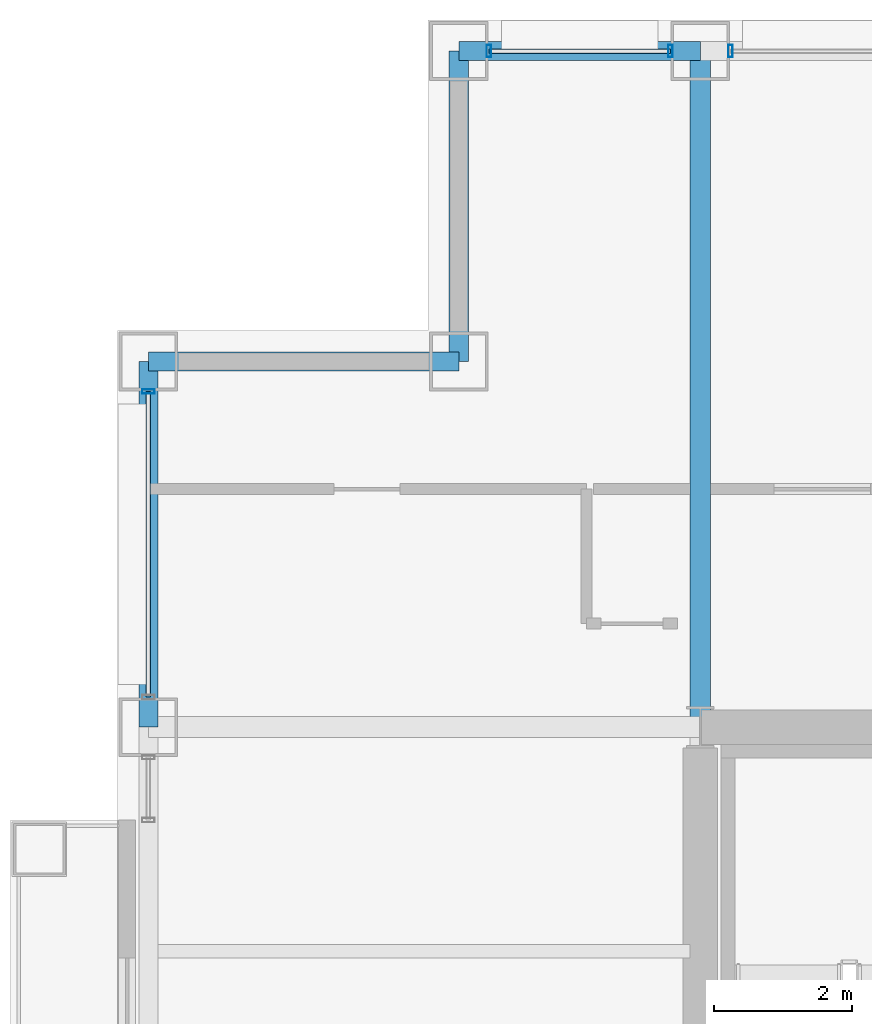
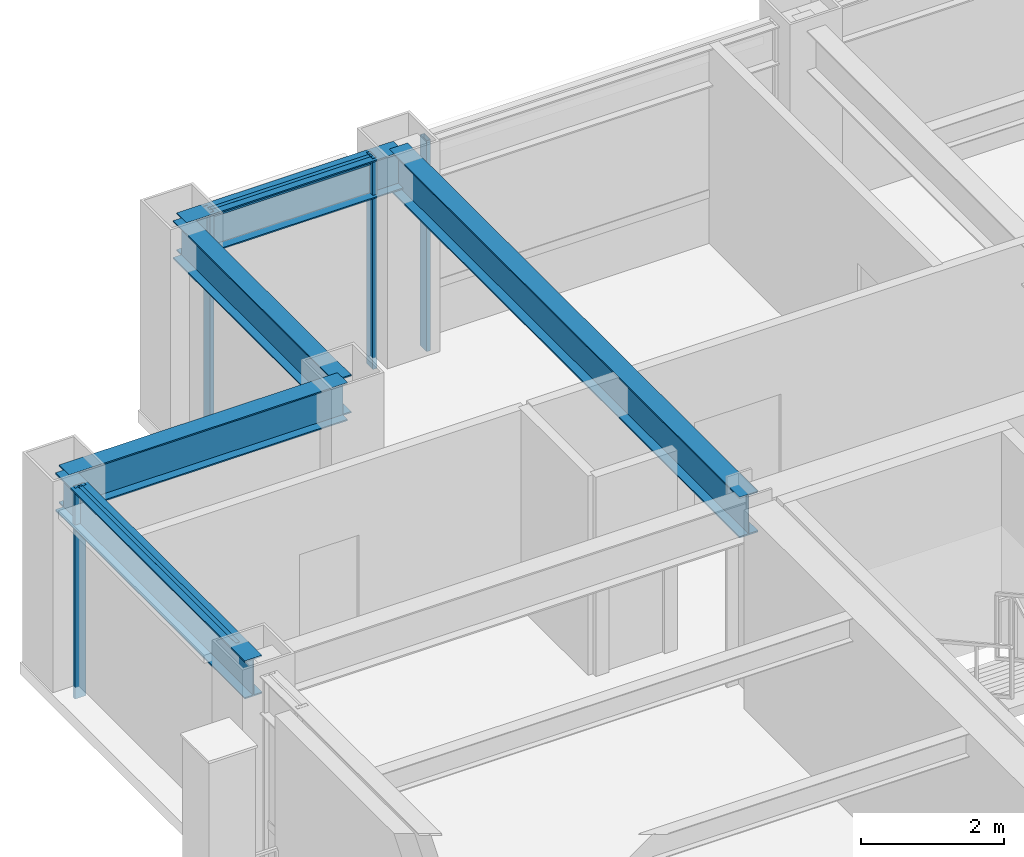
# One storey, part 18 of 31: 6 members, 5 beams, 3 elements without a shape of their own.
"""IFC4 building model written with IfcOpenShell, lengths in metres."""

from ifc_helpers import new_model, si_unit, direction, frame, origin, origin_2d, place, context, subcontext, project, spatial, hollow_rectangle, i_section, extrude, material, layer, layer_set, material_profile, profile_set, type_object, element, aggregate, save


model = new_model("IFC4")

# Units and contexts
model_context = context("Model", 3, precision=1e-05, world=origin(), true_north=direction((0.0, 1.0)))
body_context = subcontext(model_context, "Body", "Model", "MODEL_VIEW")
ifc_project = project(units=[si_unit("LENGTHUNIT", "METRE"), si_unit("AREAUNIT", "SQUARE_METRE"), si_unit("VOLUMEUNIT", "CUBIC_METRE"), si_unit("PLANEANGLEUNIT", "RADIAN"), si_unit("MASSUNIT", "GRAM", prefix="KILO")], contexts=[model_context])

# Site, building, storey
site_placement = place(None, origin())
site = spatial("IfcSite", under=ifc_project, at=site_placement, CompositionType="ELEMENT")
building_placement = place(site_placement, origin())
building = spatial("IfcBuilding", under=site, at=building_placement, Name="Brelmoor Portico Tower", CompositionType="ELEMENT")
storey_placement = place(building_placement, frame((0.0, 0.0, 106.199951171875)))
storey = spatial("IfcBuildingStorey", under=building, at=storey_placement, Name="L27", CompositionType="ELEMENT", Elevation=106.199951171875)

# Beams
ifc_material_1 = material(Name="Steel Q355B", Category="steel")
ifc_material_profile_1 = material_profile(ifc_material_1, i_section(OverallWidth=0.300048828125, OverallDepth=0.699951171875, WebThickness=0.012939453125, FlangeThickness=0.02392578125, at=origin_2d()), Name="HN 700x300x13x24")
ifc_profile_set_1 = profile_set([ifc_material_profile_1], Name="Steel Q355B")
beam_type_1 = type_object("IfcBeamType", Name="BM-PG-700", PredefinedType="BEAM", material=ifc_profile_set_1)
beam_1_placement = place(storey_placement, frame((-14.550048828125, 9.75, 3.050048828125), z_axis=(0.0, 1.0, 0.0), x_axis=(-1.0, 0.0, 0.0)))
element("IfcBeam", 1, at=beam_1_placement, inside=storey, type_object=beam_type_1, Name="L27 Primary Floor Girder PG-04", PredefinedType="BEAM", context=body_context, shape_type="SweptSolid", body=[
    extrude(i_section(OverallWidth=0.300048828125, OverallDepth=0.699951171875, WebThickness=0.012939453125, FlangeThickness=0.02392578125, at=origin_2d()), origin(), (0.0, 0.0, 1.0), 9.800048828125),
])
ifc_material_profile_2 = material_profile(ifc_material_1, i_section(OverallWidth=0.280029296875, OverallDepth=0.64990234375, WebThickness=0.012939453125, FlangeThickness=0.02197265625, at=origin_2d()), Name="HN 650x280x13x22")
ifc_profile_set_2 = profile_set([ifc_material_profile_2], Name="Steel Q355B")
beam_type_2 = type_object("IfcBeamType", Name="BM-SP-650", PredefinedType="SPANDREL", material=ifc_profile_set_2)
beam_2_placement = place(storey_placement, frame((-22.550048828125, 15.050048828125, 3.074951171875), z_axis=(1.0, 0.0, 0.0), x_axis=(0.0, 1.0, 0.0)))
element("IfcBeam", 2, at=beam_2_placement, inside=storey, type_object=beam_type_2, Name="L27 Perimeter Spandrel Beam SP-08", PredefinedType="SPANDREL", context=body_context, shape_type="SweptSolid", body=[
    extrude(i_section(OverallWidth=0.280029296875, OverallDepth=0.64990234375, WebThickness=0.012939453125, FlangeThickness=0.02197265625, at=origin_2d()), origin(), (0.0, 0.0, 1.0), 4.5),
])
beam_3_placement = place(storey_placement, frame((-18.050048828125, 19.550048828125, 3.074951171875), z_axis=(1.0, 0.0, 0.0), x_axis=(0.0, 1.0, 0.0)))
element("IfcBeam", 3, at=beam_3_placement, inside=storey, type_object=beam_type_2, Name="L27 Perimeter Spandrel Beam SP-10", PredefinedType="SPANDREL", context=body_context, shape_type="SweptSolid", body=[
    extrude(i_section(OverallWidth=0.280029296875, OverallDepth=0.64990234375, WebThickness=0.012939453125, FlangeThickness=0.02197265625, at=origin_2d()), origin(), (0.0, 0.0, 1.0), 3.5),
])
beam_4_placement = place(storey_placement, frame((-22.550048828125, 9.75, 3.074951171875), z_axis=(0.0, 1.0, 0.0), x_axis=(-1.0, 0.0, 0.0)))
element("IfcBeam", 4, at=beam_4_placement, inside=storey, type_object=beam_type_2, Name="L27 Perimeter Spandrel Beam SP-17", PredefinedType="SPANDREL", context=body_context, shape_type="SweptSolid", body=[
    extrude(i_section(OverallWidth=0.280029296875, OverallDepth=0.64990234375, WebThickness=0.012939453125, FlangeThickness=0.02197265625, at=origin_2d()), origin(), (0.0, 0.0, 1.0), 5.300048828125),
])
beam_5_placement = place(storey_placement, frame((-18.050048828125, 15.050048828125, 3.074951171875), z_axis=(0.0, 1.0, 0.0), x_axis=(-1.0, 0.0, 0.0)))
element("IfcBeam", 5, at=beam_5_placement, inside=storey, type_object=beam_type_2, Name="L27 Perimeter Spandrel Beam SP-19", PredefinedType="SPANDREL", context=body_context, shape_type="SweptSolid", body=[
    extrude(i_section(OverallWidth=0.280029296875, OverallDepth=0.64990234375, WebThickness=0.012939453125, FlangeThickness=0.02197265625, at=origin_2d()), origin(), (0.0, 0.0, 1.0), 4.5),
])

# Curtain wall, members
ifc_material_2 = material(Name="Anodised Aluminium Alloy 6063-T6", Category="aluminium")
ifc_layer_1 = layer(ifc_material_2, 0.179931640625)
ifc_layer_set_1 = layer_set([ifc_layer_1], Name="Anodised Aluminium Alloy 6063-T6")
curtain_wall_type_1 = type_object("IfcCurtainWallType", Name="CW-TOWER-Z2-XB", PredefinedType="NOTDEFINED", material=ifc_layer_set_1)
curtain_wall_1_placement = place(storey_placement, origin())
curtain_wall_1 = element("IfcCurtainWall", 6, at=curtain_wall_1_placement, inside=storey, type_object=curtain_wall_type_1, Name="L27 Curtain Wall CW-L27-02-1", PredefinedType="NOTDEFINED")
ifc_material_profile_3 = material_profile(ifc_material_2, hollow_rectangle(XDim=0.06494140625, YDim=0.179931640625, WallThickness=0.00390625, at=origin_2d()), Name="ALU MULLION 65x180")
ifc_profile_set_3 = profile_set([ifc_material_profile_3], Name="Anodised Aluminium Alloy 6063-T6")
member_type_1 = type_object("IfcMemberType", Name="MB-CW-MULL-180", PredefinedType="MULLION", material=ifc_profile_set_3)
member_1_placement = place(storey_placement, frame((-17.614990234375, 19.550048828125, -0.199951171875), z_axis=(0.0, 0.0, 1.0), x_axis=(1.0, 0.0, 0.0)))
member_1 = element("IfcMember", 7, at=member_1_placement, type_object=member_type_1, Name="CW-L27-02-1 Mullion 00", PredefinedType="MULLION", context=body_context, shape_type="SweptSolid", body=[
    extrude(hollow_rectangle(XDim=0.06494140625, YDim=0.179931640625, WallThickness=0.00390625, at=origin_2d()), origin(), (0.0, 0.0, 1.0), 3.60009765625),
])
member_2_placement = place(storey_placement, frame((-14.985107421875, 19.550048828125, -0.199951171875), z_axis=(0.0, 0.0, 1.0), x_axis=(1.0, 0.0, 0.0)))
member_2 = element("IfcMember", 8, at=member_2_placement, type_object=member_type_1, Name="CW-L27-02-1 Mullion 01", PredefinedType="MULLION", context=body_context, shape_type="SweptSolid", body=[
    extrude(hollow_rectangle(XDim=0.06494140625, YDim=0.179931640625, WallThickness=0.00390625, at=origin_2d()), origin(), (0.0, 0.0, 1.0), 3.60009765625),
])

# Curtain wall, member
ifc_layer_2 = layer(ifc_material_2, 0.179931640625)
ifc_layer_set_2 = layer_set([ifc_layer_2], Name="Anodised Aluminium Alloy 6063-T6")
curtain_wall_type_2 = type_object("IfcCurtainWallType", Name="CW-TOWER-Z2", PredefinedType="NOTDEFINED", material=ifc_layer_set_2)
curtain_wall_2_placement = place(storey_placement, origin())
curtain_wall_2 = element("IfcCurtainWall", 9, at=curtain_wall_2_placement, inside=storey, type_object=curtain_wall_type_2, Name="L27 Curtain Wall CW-L27-02-2", PredefinedType="NOTDEFINED")
member_3_placement = place(storey_placement, frame((-14.114990234375, 19.550048828125, -0.199951171875), z_axis=(0.0, 0.0, 1.0), x_axis=(1.0, 0.0, 0.0)))
member_3 = element("IfcMember", 10, at=member_3_placement, type_object=member_type_1, Name="CW-L27-02-2 Mullion 00", PredefinedType="MULLION", context=body_context, shape_type="SweptSolid", body=[
    extrude(hollow_rectangle(XDim=0.06494140625, YDim=0.179931640625, WallThickness=0.00390625, at=origin_2d()), origin(), (0.0, 0.0, 1.0), 3.60009765625),
])
aggregate(curtain_wall_2, [member_3])

curtain_wall_3_placement = place(storey_placement, origin())
curtain_wall_3 = element("IfcCurtainWall", 11, at=curtain_wall_3_placement, inside=storey, type_object=curtain_wall_type_1, Name="L27 Curtain Wall CW-L27-3R-2", PredefinedType="NOTDEFINED")
member_4_placement = place(storey_placement, frame((-22.550048828125, 14.614990234375, -0.199951171875), z_axis=(0.0, 0.0, 1.0), x_axis=(0.0, 1.0, 0.0)))
member_4 = element("IfcMember", 12, at=member_4_placement, type_object=member_type_1, Name="CW-L27-3R-2 Mullion 01", PredefinedType="MULLION", context=body_context, shape_type="SweptSolid", body=[
    extrude(hollow_rectangle(XDim=0.06494140625, YDim=0.179931640625, WallThickness=0.00390625, at=origin_2d()), origin(), (0.0, 0.0, 1.0), 3.60009765625),
])

# Member
ifc_material_profile_4 = material_profile(ifc_material_2, hollow_rectangle(XDim=0.06494140625, YDim=0.139892578125, WallThickness=0.00390625, at=origin_2d()), Name="ALU TRANSOM 65x140")
ifc_profile_set_4 = profile_set([ifc_material_profile_4], Name="Anodised Aluminium Alloy 6063-T6")
member_type_2 = type_object("IfcMemberType", Name="MB-CW-TRAN-140", PredefinedType="USERDEFINED", material=ifc_profile_set_4)
member_5_placement = place(storey_placement, frame((-17.614990234375, 19.550048828125, 3.330078125), z_axis=(1.0, 0.0, 0.0), x_axis=(0.0, 1.0, 0.0)))
member_5 = element("IfcMember", 13, at=member_5_placement, type_object=member_type_2, Name="CW-L27-02-1 Transom 1-00", ObjectType="TRANSOM", PredefinedType="USERDEFINED", context=body_context, shape_type="SweptSolid", body=[
    extrude(hollow_rectangle(XDim=0.06494140625, YDim=0.139892578125, WallThickness=0.00390625, at=origin_2d()), origin(), (0.0, 0.0, 1.0), 2.6298828125),
])

aggregate(curtain_wall_1, [member_1, member_2, member_5])

member_6_placement = place(storey_placement, frame((-22.550048828125, 10.18505859375, 3.330078125), z_axis=(0.0, 1.0, 0.0), x_axis=(-1.0, 0.0, 0.0)))
member_6 = element("IfcMember", 14, at=member_6_placement, type_object=member_type_2, Name="CW-L27-3R-2 Transom 1-00", ObjectType="TRANSOM", PredefinedType="USERDEFINED", context=body_context, shape_type="SweptSolid", body=[
    extrude(hollow_rectangle(XDim=0.06494140625, YDim=0.139892578125, WallThickness=0.00390625, at=origin_2d()), origin(), (0.0, 0.0, 1.0), 4.429931640625),
])

aggregate(curtain_wall_3, [member_4, member_6])

save(model, "model.ifc")
